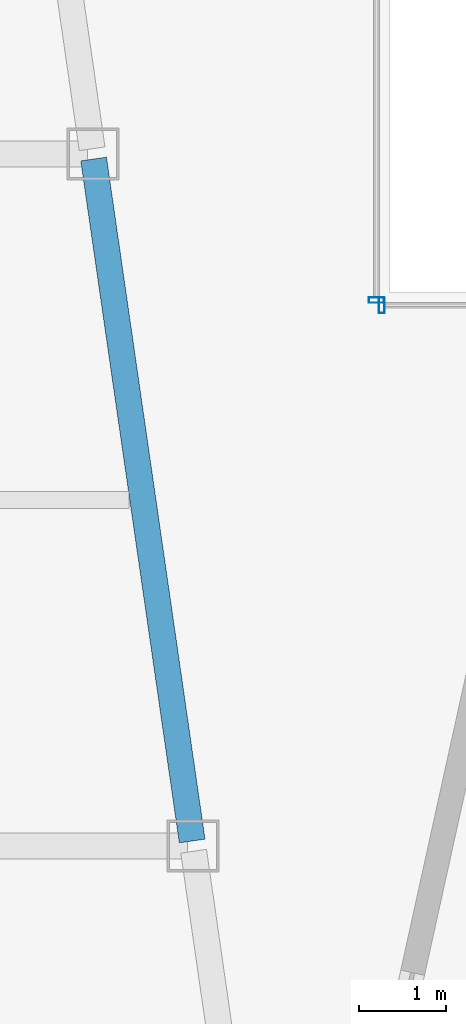
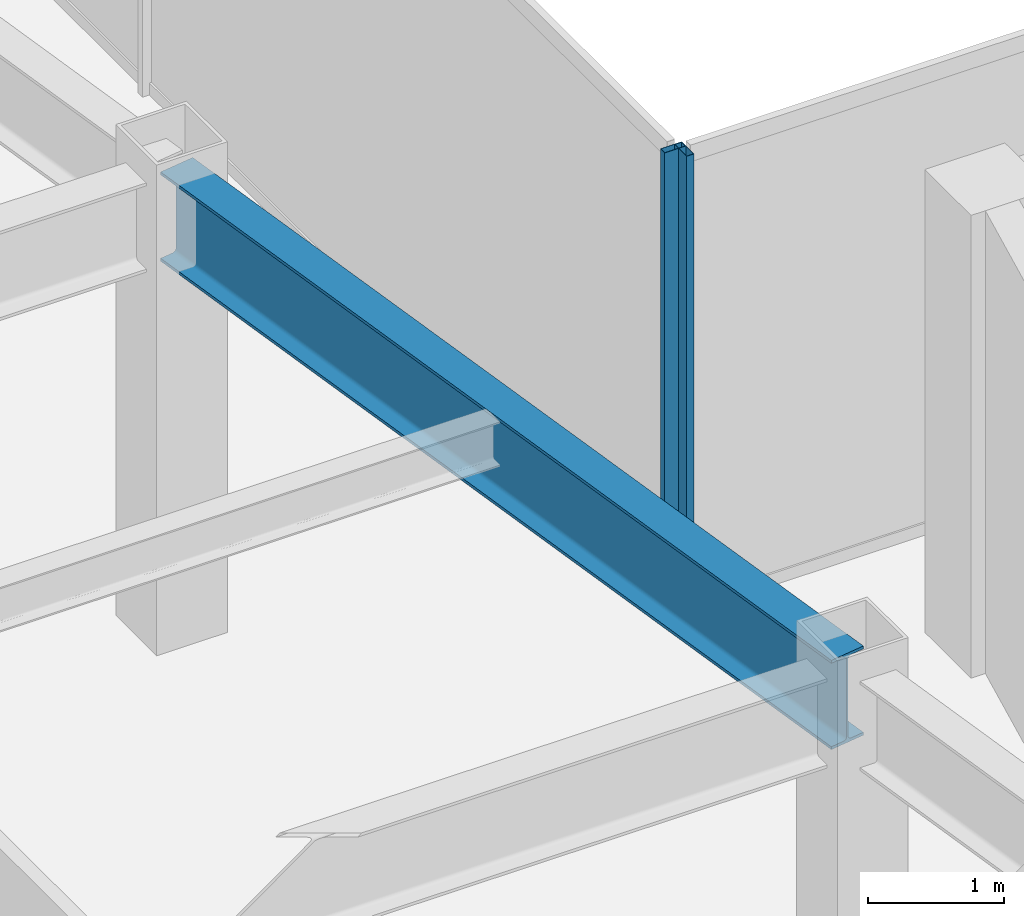
# One storey, part 6 of 35: 2 members, 1 beam, 2 elements without a shape of their own.
"""IFC4 building model written with IfcOpenShell, lengths in metres."""

from ifc_helpers import new_model, si_unit, direction, frame, origin, origin_2d, place, context, subcontext, project, spatial, hollow_rectangle, i_section, extrude, material, material_profile, profile_set, type_object, element, aggregate, save


model = new_model("IFC4")

# Units and contexts
model_context = context("Model", 3, precision=1e-05, world=origin(), true_north=direction((0.0, 1.0)))
body_context = subcontext(model_context, "Body", "Model", "MODEL_VIEW")
ifc_project = project(units=[si_unit("LENGTHUNIT", "METRE"), si_unit("AREAUNIT", "SQUARE_METRE"), si_unit("VOLUMEUNIT", "CUBIC_METRE"), si_unit("PLANEANGLEUNIT", "RADIAN"), si_unit("MASSUNIT", "GRAM", prefix="KILO")], contexts=[model_context])

# Site, building, storey
site_placement = place(None, origin())
site = spatial("IfcSite", under=ifc_project, at=site_placement, CompositionType="ELEMENT")
building_placement = place(site_placement, origin())
building = spatial("IfcBuilding", under=site, at=building_placement, Name="Saevonmaru Cultural Tower", CompositionType="ELEMENT")
storey_placement = place(building_placement, frame((0.0, 0.0, 101.60009765625)))
storey = spatial("IfcBuildingStorey", under=building, at=storey_placement, Name="L21", CompositionType="ELEMENT", Elevation=101.60009765625)

# Beam
ifc_material_1 = material(Name="Steel SM420", Category="steel")
ifc_material_profile_1 = material_profile(ifc_material_1, i_section(OverallWidth=0.300048828125, OverallDepth=0.800048828125, WebThickness=0.013916015625, FlangeThickness=0.02587890625, FilletRadius=0.028076171875, at=origin_2d()), Name="H-800x300x14x26")
ifc_profile_set_1 = profile_set([ifc_material_profile_1], Name="Steel SM420")
beam_type = type_object("IfcBeamType", Name="BM-G-H800", PredefinedType="BEAM", material=ifc_profile_set_1)
beam_placement = place(storey_placement, frame((21.91943359375, 16.059326171875, 3.75), z_axis=(-0.143022161059, 0.989719486241, 0.0), x_axis=(-0.989719486241, -0.143022161059, 0.0)))
element("IfcBeam", 1, at=beam_placement, inside=storey, type_object=beam_type, Name="L21 West Atrium Girder 2", PredefinedType="BEAM", context=body_context, shape_type="SweptSolid", body=[
    extrude(i_section(OverallWidth=0.300048828125, OverallDepth=0.800048828125, WebThickness=0.013916015625, FlangeThickness=0.02587890625, FilletRadius=0.028076171875, at=origin_2d()), origin(), (0.0, 0.0, 1.0), 7.963134765625),
])

# Curtain wall, member
ifc_material_2 = material(Name="Satin Bronze Anodised Aluminium", Category="aluminium")
curtain_wall_type = type_object("IfcCurtainWallType", Name="CW-ATR-GLZ", PredefinedType="NOTDEFINED", material=ifc_material_2)
curtain_wall_1_placement = place(storey_placement, origin())
curtain_wall_1 = element("IfcCurtainWall", 2, at=curtain_wall_1_placement, inside=storey, type_object=curtain_wall_type, Name="L21 Vertical Atrium Glazed Smoke Screen 1", PredefinedType="NOTDEFINED")
ifc_material_profile_2 = material_profile(ifc_material_2, hollow_rectangle(XDim=0.06494140625, YDim=0.179931640625, WallThickness=0.00390625, at=origin_2d()), Name="ALU-MULL-180x65x4")
ifc_profile_set_2 = profile_set([ifc_material_profile_2], Name="Satin Bronze Anodised Aluminium")
member_type = type_object("IfcMemberType", Name="ML-CW-INT-180x65", PredefinedType="MULLION", material=ifc_profile_set_2)
member_1_placement = place(storey_placement, frame((24.110107421875, 22.25, 0.0), z_axis=(0.0, 0.0, 1.0), x_axis=(1.0, 0.0, 0.0)))
member_1 = element("IfcMember", 3, at=member_1_placement, type_object=member_type, Name="CW-ATR-L21-1 mullion 1", PredefinedType="MULLION", context=body_context, shape_type="SweptSolid", body=[
    extrude(hollow_rectangle(XDim=0.06494140625, YDim=0.179931640625, WallThickness=0.00390625, at=origin_2d()), origin(), (0.0, 0.0, 1.0), 4.14990234375),
])
aggregate(curtain_wall_1, [member_1])

curtain_wall_2_placement = place(storey_placement, origin())
curtain_wall_2 = element("IfcCurtainWall", 4, at=curtain_wall_2_placement, inside=storey, type_object=curtain_wall_type, Name="L21 Vertical Atrium Glazed Smoke Screen 4", PredefinedType="NOTDEFINED")
member_2_placement = place(storey_placement, frame((24.050048828125, 22.31005859375, 0.0), z_axis=(0.0, 0.0, 1.0), x_axis=(0.0, -1.0, 0.0)))
member_2 = element("IfcMember", 5, at=member_2_placement, type_object=member_type, Name="CW-ATR-L21-4 mullion 3", PredefinedType="MULLION", context=body_context, shape_type="SweptSolid", body=[
    extrude(hollow_rectangle(XDim=0.06494140625, YDim=0.179931640625, WallThickness=0.00390625, at=origin_2d()), origin(), (0.0, 0.0, 1.0), 4.14990234375),
])
aggregate(curtain_wall_2, [member_2])

save(model, "model.ifc")
